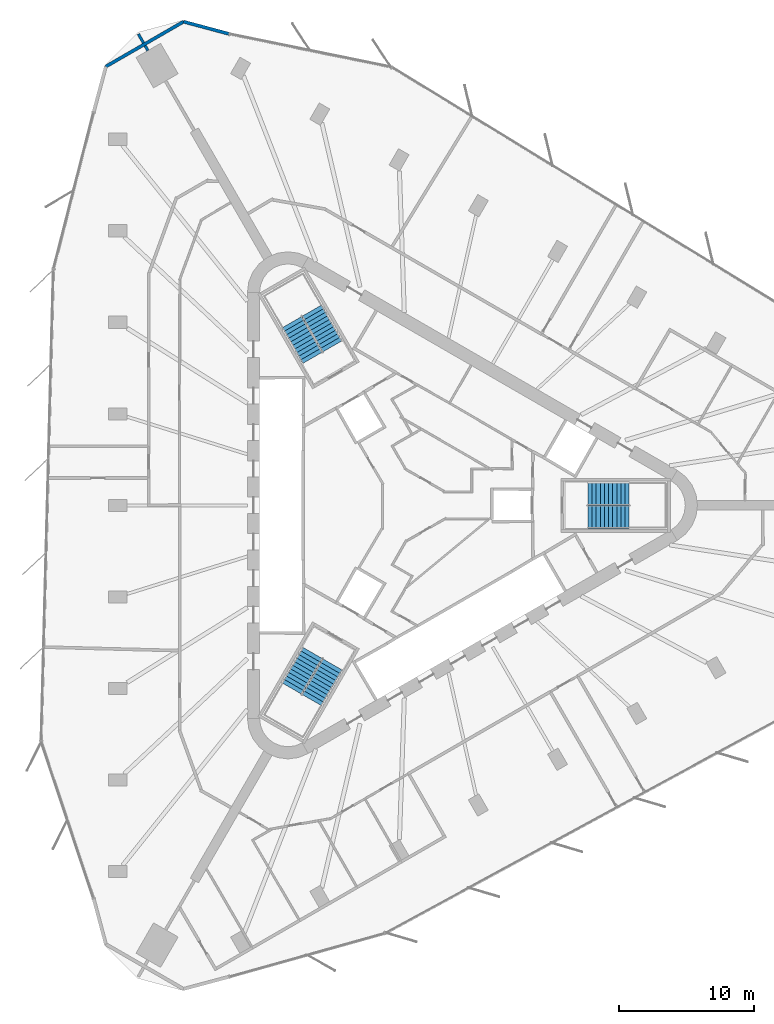
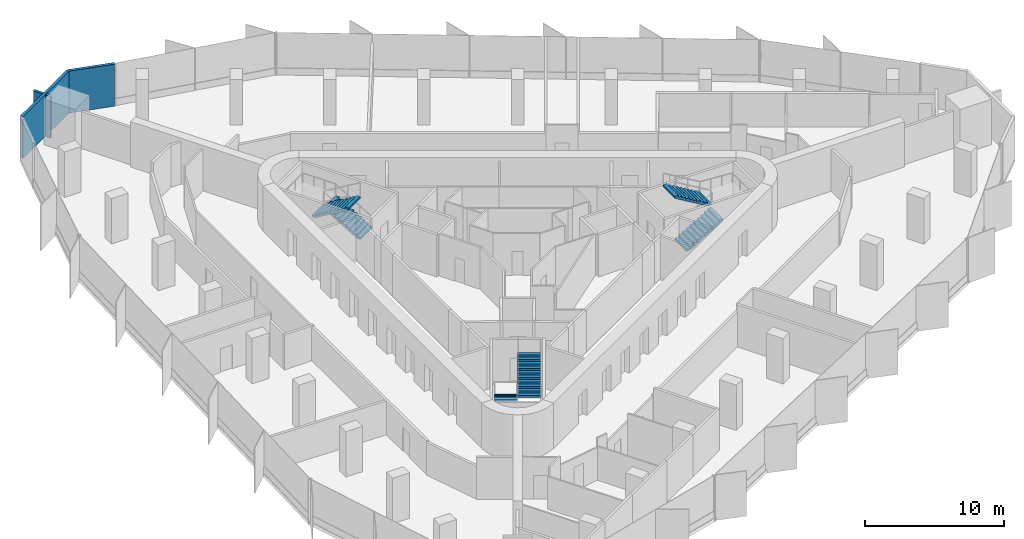
# One storey, part 13 of 14: 6 stair flights, 4 walls, 3 elements without a shape of their own.
"""IFC4 building model written with IfcOpenShell, lengths in metres."""

from ifc_helpers import new_model, si_unit, direction, frame, frame_2d, origin, place, context, subcontext, project, spatial, polyline, rectangle, outline, extrude, material, layer, layer_set, type_object, element, aggregate, save


model = new_model("IFC4")

# Units and contexts
model_context = context("Model", 3, precision=1e-05, world=origin(), true_north=direction((0.0, 1.0)))
body_context = subcontext(model_context, "Body", "Model", "MODEL_VIEW")
ifc_project = project(units=[si_unit("LENGTHUNIT", "METRE"), si_unit("AREAUNIT", "SQUARE_METRE"), si_unit("VOLUMEUNIT", "CUBIC_METRE"), si_unit("PLANEANGLEUNIT", "RADIAN"), si_unit("MASSUNIT", "GRAM", prefix="KILO")], contexts=[model_context])

# Site, building, storey
site_placement = place(None, origin())
site = spatial("IfcSite", under=ifc_project, at=site_placement, CompositionType="ELEMENT")
building_placement = place(site_placement, origin())
building = spatial("IfcBuilding", under=site, at=building_placement, Name="Tanit Gate Tower", CompositionType="ELEMENT")
storey_placement = place(building_placement, frame((0.0, 0.0, 245.199951171875)))
storey = spatial("IfcBuildingStorey", under=building, at=storey_placement, Name="L55", CompositionType="ELEMENT", Elevation=245.199951171875)

# Walls
ifc_material_1 = material(Name="Concrete C30/37 with bronze anodised aluminium cladding", Category="concrete")
ifc_layer_1 = layer(ifc_material_1, 0.239990234375)
ifc_layer_set_1 = layer_set([ifc_layer_1], Name="Facade wall bronze clad 240")
wall_type_1 = type_object("IfcWallType", Name="Facade wall bronze clad 240", PredefinedType="SOLIDWALL", material=ifc_layer_set_1)
wall_1_placement = place(storey_placement, frame((-13.470703125, 34.8876953125, 0.0), z_axis=(0.0, 0.0, 1.0), x_axis=(-0.965929859648, 0.258803991931, 0.0)))
element("IfcWall", 1, at=wall_1_placement, inside=storey, type_object=wall_type_1, Name="Bronze-clad facade wall L55 NW.arc1", PredefinedType="SOLIDWALL", context=body_context, shape_type="SweptSolid", body=[
    extrude(rectangle(XDim=3.474365234375, YDim=0.239990234375, at=frame_2d((1.7373046875, 0.0))), origin(), (0.0, 0.0, 1.0), 3.699951171875),
])
wall_2_placement = place(storey_placement, frame((-16.82666015625, 35.786865234375, 0.0), z_axis=(0.0, 0.0, 1.0), x_axis=(-0.866017876419, -0.500013037552, 0.0)))
element("IfcWall", 2, at=wall_2_placement, inside=storey, type_object=wall_type_1, Name="Bronze-clad facade wall L55 NW.arc2", PredefinedType="SOLIDWALL", context=body_context, shape_type="SweptSolid", body=[
    extrude(rectangle(XDim=6.642333984375, YDim=0.239990234375, at=frame_2d((3.3212890625, 0.0))), origin(), (0.0, 0.0, 1.0), 3.699951171875),
])
ifc_material_2 = material(Name="Fire-rated gypsum board partition")
ifc_layer_2 = layer(ifc_material_2, 0.199951171875)
ifc_layer_set_2 = layer_set([ifc_layer_2], Name="INT-WALL-COMPARTMENT")
wall_type_2 = type_object("IfcWallType", Name="INT-WALL-COMPARTMENT", PredefinedType="PARTITIONING", material=ifc_layer_set_2)
wall_3_placement = place(storey_placement, frame((-20.169677734375, 34.875, 0.0), z_axis=(0.0, 0.0, 1.0), x_axis=(0.499999897272, -0.866025463095, 0.0)))
element("IfcWall", 3, at=wall_3_placement, inside=storey, type_object=wall_type_2, Name="Wall Compartment W129", PredefinedType="PARTITIONING", context=body_context, shape_type="SweptSolid", body=[
    extrude(rectangle(XDim=0.76171875, YDim=0.199951171875, at=frame_2d((0.380859375, 0.0))), origin(), (0.0, 0.0, 1.0), 3.699951171875),
])
wall_4_placement = place(storey_placement, frame((-19.668701171875, 34.00732421875, 0.0), z_axis=(0.0, 0.0, 1.0), x_axis=(0.499739399214, -0.866175809448, 0.0)))
element("IfcWall", 4, at=wall_4_placement, inside=storey, type_object=wall_type_2, Name="Wall Compartment W129x1", PredefinedType="PARTITIONING", context=body_context, shape_type="SweptSolid", body=[
    extrude(rectangle(XDim=0.415771484375, YDim=0.199951171875, at=frame_2d((0.2080078125, 0.0))), origin(), (0.0, 0.0, 1.0), 3.699951171875),
])

# Stair, stair flights
ifc_material_3 = material(Name="Concrete C40/50", Category="concrete")
stair_type = type_object("IfcStairType", Name="INT-STAIR-EXIT", PredefinedType="HALF_TURN_STAIR", material=ifc_material_3)
stair_1_placement = place(storey_placement, origin())
stair_1 = element("IfcStair", 5, at=stair_1_placement, inside=storey, type_object=stair_type, Name="L55 STAIR S1", PredefinedType="HALF_TURN_STAIR")
ifc_material_4 = material(Name="Concrete C40/50", Category="concrete")
stair_flight_type = type_object("IfcStairFlightType", Name="INT-STAIR-FLIGHT", PredefinedType="STRAIGHT", material=ifc_material_4)
stair_flight_1_placement = place(storey_placement, frame((13.094970703125, -0.8525390625, 0.0), z_axis=(0.0, 0.0, 1.0), x_axis=(1.0, 0.0, 0.0)))
stair_flight_1 = element("IfcStairFlight", 6, at=stair_flight_1_placement, type_object=stair_flight_type, Name="S1 flight 1", NumberOfRisers=11, NumberOfTreads=10, PredefinedType="STRAIGHT", RiserHeight=0.181818182, TreadLength=0.3051, context=body_context, shape_type="SweptSolid", body=[
    extrude(outline(polyline([(0.0, 0.0), (0.0, 0.181884765625), (0.30517578125, 0.181884765625), (0.30517578125, 0.363525390625), (0.610107421875, 0.363525390625), (0.610107421875, 0.54541015625), (0.915283203125, 0.54541015625), (0.915283203125, 0.727294921875), (1.220458984375, 0.727294921875), (1.220458984375, 0.9091796875), (1.525390625, 0.9091796875), (1.525390625, 1.0908203125), (1.83056640625, 1.0908203125), (1.83056640625, 1.272705078125), (2.1357421875, 1.272705078125), (2.1357421875, 1.45458984375), (2.44091796875, 1.45458984375), (2.44091796875, 1.636474609375), (2.745849609375, 1.636474609375), (2.745849609375, 1.818115234375), (3.051025390625, 1.818115234375), (3.051025390625, 2.0), (3.051025390625, 1.643798828125), (0.292724609375, 0.0), (0.0, 0.0)])), frame((0.0, 0.84765625, 0.0), z_axis=(0.0, -1.0, 0.0), x_axis=(1.0, 0.0, 0.0)), (0.0, 0.0, 1.0), 1.695068359375),
])
stair_flight_2_placement = place(storey_placement, frame((16.14599609375, 0.8525390625, 2.0), z_axis=(0.0, 0.0, 1.0), x_axis=(-1.0, 0.0, 0.0)))
stair_flight_2 = element("IfcStairFlight", 7, at=stair_flight_2_placement, type_object=stair_flight_type, Name="S1 flight 2", NumberOfRisers=11, NumberOfTreads=10, PredefinedType="STRAIGHT", RiserHeight=0.181818182, TreadLength=0.3051, context=body_context, shape_type="SweptSolid", body=[
    extrude(outline(polyline([(0.0, 0.0), (0.0, 0.181884765625), (0.30517578125, 0.181884765625), (0.30517578125, 0.363525390625), (0.610107421875, 0.363525390625), (0.610107421875, 0.54541015625), (0.915283203125, 0.54541015625), (0.915283203125, 0.727294921875), (1.220458984375, 0.727294921875), (1.220458984375, 0.9091796875), (1.525390625, 0.9091796875), (1.525390625, 1.0908203125), (1.83056640625, 1.0908203125), (1.83056640625, 1.272705078125), (2.1357421875, 1.272705078125), (2.1357421875, 1.45458984375), (2.44091796875, 1.45458984375), (2.44091796875, 1.636474609375), (2.745849609375, 1.636474609375), (2.745849609375, 1.818115234375), (3.051025390625, 1.818115234375), (3.051025390625, 2.0), (3.051025390625, 1.643798828125), (0.292724609375, 0.0), (0.0, 0.0)])), frame((0.0, 0.84765625, 0.0), z_axis=(0.0, -1.0, 0.0), x_axis=(1.0, 0.0, 0.0)), (0.0, 0.0, 1.0), 1.695068359375),
])
aggregate(stair_1, [stair_flight_1, stair_flight_2])

stair_2_placement = place(storey_placement, origin())
stair_2 = element("IfcStair", 8, at=stair_2_placement, inside=storey, type_object=stair_type, Name="L55 STAIR S2", PredefinedType="HALF_TURN_STAIR")
stair_flight_3_placement = place(storey_placement, frame((-5.808349609375, 11.766357421875, 0.0), z_axis=(0.0, 0.0, 1.0), x_axis=(-0.5, 0.866025403784, 0.0)))
stair_flight_3 = element("IfcStairFlight", 9, at=stair_flight_3_placement, type_object=stair_flight_type, Name="S2 flight 1", NumberOfRisers=11, NumberOfTreads=10, PredefinedType="STRAIGHT", RiserHeight=0.181818182, TreadLength=0.30492, context=body_context, shape_type="SweptSolid", body=[
    extrude(outline(polyline([(0.0, 0.0), (0.0, 0.181884765625), (0.304931640625, 0.181884765625), (0.304931640625, 0.363525390625), (0.60986328125, 0.363525390625), (0.60986328125, 0.54541015625), (0.914794921875, 0.54541015625), (0.914794921875, 0.727294921875), (1.2197265625, 0.727294921875), (1.2197265625, 0.9091796875), (1.524658203125, 0.9091796875), (1.524658203125, 1.0908203125), (1.82958984375, 1.0908203125), (1.82958984375, 1.272705078125), (2.134521484375, 1.272705078125), (2.134521484375, 1.45458984375), (2.439453125, 1.45458984375), (2.439453125, 1.636474609375), (2.744384765625, 1.636474609375), (2.744384765625, 1.818115234375), (3.04931640625, 1.818115234375), (3.04931640625, 2.0), (3.04931640625, 1.6435546875), (0.292724609375, 0.0), (0.0, 0.0)])), frame((0.0, 0.84716796875, 0.0), z_axis=(0.0, -1.0, 0.0), x_axis=(1.0, 0.0, 0.0)), (0.0, 0.0, 1.0), 1.694091796875),
])
stair_flight_4_placement = place(storey_placement, frame((-8.810302734375, 13.553955078125, 2.0), z_axis=(0.0, 0.0, 1.0), x_axis=(0.5, -0.866025403784, 0.0)))
stair_flight_4 = element("IfcStairFlight", 10, at=stair_flight_4_placement, type_object=stair_flight_type, Name="S2 flight 2", NumberOfRisers=11, NumberOfTreads=10, PredefinedType="STRAIGHT", RiserHeight=0.181818182, TreadLength=0.30492, context=body_context, shape_type="SweptSolid", body=[
    extrude(outline(polyline([(0.0, 0.0), (0.0, 0.181884765625), (0.304931640625, 0.181884765625), (0.304931640625, 0.363525390625), (0.60986328125, 0.363525390625), (0.60986328125, 0.54541015625), (0.914794921875, 0.54541015625), (0.914794921875, 0.727294921875), (1.2197265625, 0.727294921875), (1.2197265625, 0.9091796875), (1.524658203125, 0.9091796875), (1.524658203125, 1.0908203125), (1.82958984375, 1.0908203125), (1.82958984375, 1.272705078125), (2.134521484375, 1.272705078125), (2.134521484375, 1.45458984375), (2.439453125, 1.45458984375), (2.439453125, 1.636474609375), (2.744384765625, 1.636474609375), (2.744384765625, 1.818115234375), (3.04931640625, 1.818115234375), (3.04931640625, 2.0), (3.04931640625, 1.6435546875), (0.292724609375, 0.0), (0.0, 0.0)])), frame((0.0, 0.84716796875, 0.0), z_axis=(0.0, -1.0, 0.0), x_axis=(1.0, 0.0, 0.0)), (0.0, 0.0, 1.0), 1.694091796875),
])
aggregate(stair_2, [stair_flight_3, stair_flight_4])

stair_3_placement = place(storey_placement, origin())
stair_3 = element("IfcStair", 11, at=stair_3_placement, inside=storey, type_object=stair_type, Name="L55 STAIR S3", PredefinedType="HALF_TURN_STAIR")
stair_flight_5_placement = place(storey_placement, frame((-7.285888671875, -10.914306640625, 0.0), z_axis=(0.0, 0.0, 1.0), x_axis=(-0.5, -0.866025403784, 0.0)))
stair_flight_5 = element("IfcStairFlight", 12, at=stair_flight_5_placement, type_object=stair_flight_type, Name="S3 flight 1", NumberOfRisers=11, NumberOfTreads=10, PredefinedType="STRAIGHT", RiserHeight=0.181818182, TreadLength=0.3051, context=body_context, shape_type="SweptSolid", body=[
    extrude(outline(polyline([(0.0, 0.0), (0.0, 0.181884765625), (0.30517578125, 0.181884765625), (0.30517578125, 0.363525390625), (0.610107421875, 0.363525390625), (0.610107421875, 0.54541015625), (0.915283203125, 0.54541015625), (0.915283203125, 0.727294921875), (1.220458984375, 0.727294921875), (1.220458984375, 0.9091796875), (1.525390625, 0.9091796875), (1.525390625, 1.0908203125), (1.83056640625, 1.0908203125), (1.83056640625, 1.272705078125), (2.1357421875, 1.272705078125), (2.1357421875, 1.45458984375), (2.44091796875, 1.45458984375), (2.44091796875, 1.636474609375), (2.745849609375, 1.636474609375), (2.745849609375, 1.818115234375), (3.051025390625, 1.818115234375), (3.051025390625, 2.0), (3.051025390625, 1.643798828125), (0.292724609375, 0.0), (0.0, 0.0)])), frame((0.0, 0.84765625, 0.0), z_axis=(0.0, -1.0, 0.0), x_axis=(1.0, 0.0, 0.0)), (0.0, 0.0, 1.0), 1.695068359375),
])
stair_flight_6_placement = place(storey_placement, frame((-7.334716796875, -14.4091796875, 2.0), z_axis=(0.0, 0.0, 1.0), x_axis=(0.5, 0.866025403784, 0.0)))
stair_flight_6 = element("IfcStairFlight", 13, at=stair_flight_6_placement, type_object=stair_flight_type, Name="S3 flight 2", NumberOfRisers=11, NumberOfTreads=10, PredefinedType="STRAIGHT", RiserHeight=0.181818182, TreadLength=0.3051, context=body_context, shape_type="SweptSolid", body=[
    extrude(outline(polyline([(0.0, 0.0), (0.0, 0.181884765625), (0.30517578125, 0.181884765625), (0.30517578125, 0.363525390625), (0.610107421875, 0.363525390625), (0.610107421875, 0.54541015625), (0.915283203125, 0.54541015625), (0.915283203125, 0.727294921875), (1.220458984375, 0.727294921875), (1.220458984375, 0.9091796875), (1.525390625, 0.9091796875), (1.525390625, 1.0908203125), (1.83056640625, 1.0908203125), (1.83056640625, 1.272705078125), (2.1357421875, 1.272705078125), (2.1357421875, 1.45458984375), (2.44091796875, 1.45458984375), (2.44091796875, 1.636474609375), (2.745849609375, 1.636474609375), (2.745849609375, 1.818115234375), (3.051025390625, 1.818115234375), (3.051025390625, 2.0), (3.051025390625, 1.643798828125), (0.292724609375, 0.0), (0.0, 0.0)])), frame((0.0, 0.84765625, 0.0), z_axis=(0.0, -1.0, 0.0), x_axis=(1.0, 0.0, 0.0)), (0.0, 0.0, 1.0), 1.695068359375),
])
aggregate(stair_3, [stair_flight_5, stair_flight_6])

save(model, "model.ifc")
